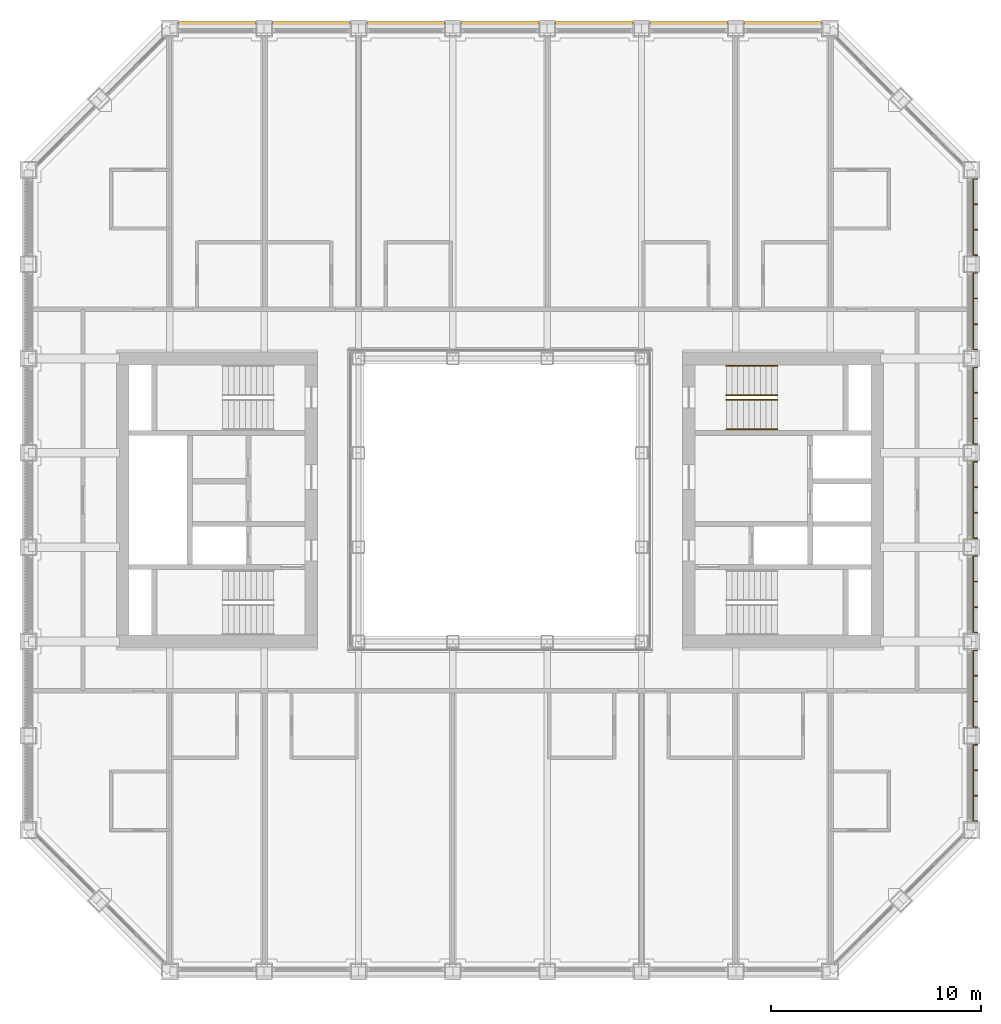
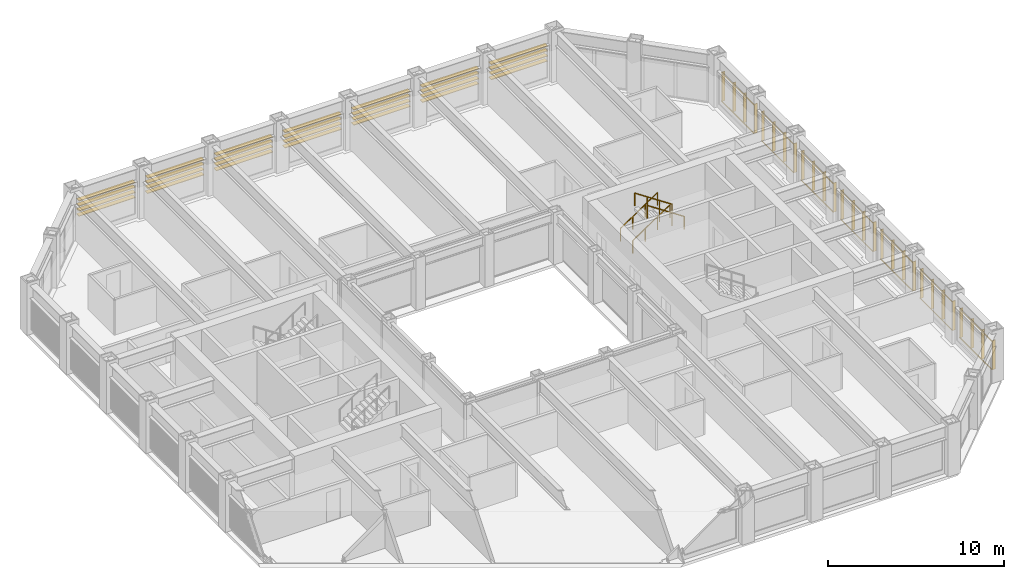
# One storey, part 17 of 17: 4 railings, 2 shading devices.
"""IFC4 building model written with IfcOpenShell, lengths in metres."""

from ifc_helpers import new_model, si_unit, direction, frame, origin, origin_2d, place, context, subcontext, project, spatial, rectangle, circle, extrude, material, type_object, element, save


model = new_model("IFC4")

# Units and contexts
model_context = context("Model", 3, precision=1e-05, world=origin(), true_north=direction((0.0, 1.0)))
body_context = subcontext(model_context, "Body", "Model", "MODEL_VIEW")
ifc_project = project(units=[si_unit("LENGTHUNIT", "METRE"), si_unit("AREAUNIT", "SQUARE_METRE"), si_unit("VOLUMEUNIT", "CUBIC_METRE"), si_unit("PLANEANGLEUNIT", "RADIAN"), si_unit("MASSUNIT", "GRAM", prefix="KILO")], contexts=[model_context])

# Site, building, storey
site_placement = place(None, origin())
site = spatial("IfcSite", under=ifc_project, at=site_placement, CompositionType="ELEMENT")
building_placement = place(site_placement, origin())
building = spatial("IfcBuilding", under=site, at=building_placement, Name="Msasa Ring Tower", CompositionType="ELEMENT")
storey_placement = place(building_placement, frame((0.0, 0.0, 132.800048828125)))
storey = spatial("IfcBuildingStorey", under=building, at=storey_placement, Name="L34", CompositionType="ELEMENT", Elevation=132.800048828125)

# Shading device
ifc_material_1 = material(Name="Extruded terracotta on aluminium carriers", Category="masonry")
shading_device_type_1 = type_object("IfcShadingDeviceType", Name="BS2 TERRACOTTA FIN SCREEN 40x200 AT 1350", PredefinedType="USERDEFINED", material=ifc_material_1)
shading_device_1_placement = place(storey_placement, origin())
element("IfcShadingDevice", 1, at=shading_device_1_placement, inside=storey, type_object=shading_device_type_1, Name="Terracotta fin screen E L34", ObjectType="BAGUETTE", PredefinedType="USERDEFINED", context=body_context, shape_type="SweptSolid", body=[
    extrude(rectangle(XDim=0.06005859375, YDim=0.0400390625, at=origin_2d()), frame((22.580078125, -15.35009765625, 0.329833984375), z_axis=(0.0, 1.0, 0.0), x_axis=(0.0, 0.0, 1.0)), (0.0, 0.0, 1.0), 3.699951171875),
    extrude(rectangle(XDim=0.06005859375, YDim=0.0400390625, at=origin_2d()), frame((22.580078125, -15.35009765625, 2.299072265625), z_axis=(0.0, 1.0, 0.0), x_axis=(0.0, 0.0, 1.0)), (0.0, 0.0, 1.0), 3.699951171875),
    extrude(rectangle(XDim=0.0400390625, YDim=0.199951171875, at=origin_2d()), frame((22.695068359375, -15.330078125, 0.300048828125), z_axis=(0.0, 0.0, 1.0), x_axis=(0.0, 1.0, 0.0)), (0.0, 0.0, 1.0), 2.02880859375),
    extrude(rectangle(XDim=0.0400390625, YDim=0.199951171875, at=origin_2d()), frame((22.695068359375, -14.110107421875, 0.300048828125), z_axis=(0.0, 0.0, 1.0), x_axis=(0.0, 1.0, 0.0)), (0.0, 0.0, 1.0), 2.02880859375),
    extrude(rectangle(XDim=0.0400390625, YDim=0.199951171875, at=origin_2d()), frame((22.695068359375, -12.889892578125, 0.300048828125), z_axis=(0.0, 0.0, 1.0), x_axis=(0.0, 1.0, 0.0)), (0.0, 0.0, 1.0), 2.02880859375),
    extrude(rectangle(XDim=0.0400390625, YDim=0.199951171875, at=origin_2d()), frame((22.695068359375, -11.669921875, 0.300048828125), z_axis=(0.0, 0.0, 1.0), x_axis=(0.0, 1.0, 0.0)), (0.0, 0.0, 1.0), 2.02880859375),
    extrude(rectangle(XDim=0.06005859375, YDim=0.0400390625, at=origin_2d()), frame((22.580078125, -10.85009765625, 0.329833984375), z_axis=(0.0, 1.0, 0.0), x_axis=(0.0, 0.0, 1.0)), (0.0, 0.0, 1.0), 3.699951171875),
    extrude(rectangle(XDim=0.06005859375, YDim=0.0400390625, at=origin_2d()), frame((22.580078125, -10.85009765625, 2.299072265625), z_axis=(0.0, 1.0, 0.0), x_axis=(0.0, 0.0, 1.0)), (0.0, 0.0, 1.0), 3.699951171875),
    extrude(rectangle(XDim=0.0400390625, YDim=0.199951171875, at=origin_2d()), frame((22.695068359375, -10.830078125, 0.300048828125), z_axis=(0.0, 0.0, 1.0), x_axis=(0.0, 1.0, 0.0)), (0.0, 0.0, 1.0), 2.02880859375),
    extrude(rectangle(XDim=0.0400390625, YDim=0.199951171875, at=origin_2d()), frame((22.695068359375, -9.610107421875, 0.300048828125), z_axis=(0.0, 0.0, 1.0), x_axis=(0.0, 1.0, 0.0)), (0.0, 0.0, 1.0), 2.02880859375),
    extrude(rectangle(XDim=0.0400390625, YDim=0.199951171875, at=origin_2d()), frame((22.695068359375, -8.389892578125, 0.300048828125), z_axis=(0.0, 0.0, 1.0), x_axis=(0.0, 1.0, 0.0)), (0.0, 0.0, 1.0), 2.02880859375),
    extrude(rectangle(XDim=0.0400390625, YDim=0.199951171875, at=origin_2d()), frame((22.695068359375, -7.169921875, 0.300048828125), z_axis=(0.0, 0.0, 1.0), x_axis=(0.0, 1.0, 0.0)), (0.0, 0.0, 1.0), 2.02880859375),
    extrude(rectangle(XDim=0.06005859375, YDim=0.0400390625, at=origin_2d()), frame((22.580078125, -6.35009765625, 0.329833984375), z_axis=(0.0, 1.0, 0.0), x_axis=(0.0, 0.0, 1.0)), (0.0, 0.0, 1.0), 3.699951171875),
    extrude(rectangle(XDim=0.06005859375, YDim=0.0400390625, at=origin_2d()), frame((22.580078125, -6.35009765625, 2.299072265625), z_axis=(0.0, 1.0, 0.0), x_axis=(0.0, 0.0, 1.0)), (0.0, 0.0, 1.0), 3.699951171875),
    extrude(rectangle(XDim=0.0400390625, YDim=0.199951171875, at=origin_2d()), frame((22.695068359375, -6.330078125, 0.300048828125), z_axis=(0.0, 0.0, 1.0), x_axis=(0.0, 1.0, 0.0)), (0.0, 0.0, 1.0), 2.02880859375),
    extrude(rectangle(XDim=0.0400390625, YDim=0.199951171875, at=origin_2d()), frame((22.695068359375, -5.110107421875, 0.300048828125), z_axis=(0.0, 0.0, 1.0), x_axis=(0.0, 1.0, 0.0)), (0.0, 0.0, 1.0), 2.02880859375),
    extrude(rectangle(XDim=0.0400390625, YDim=0.199951171875, at=origin_2d()), frame((22.695068359375, -3.889892578125, 0.300048828125), z_axis=(0.0, 0.0, 1.0), x_axis=(0.0, 1.0, 0.0)), (0.0, 0.0, 1.0), 2.02880859375),
    extrude(rectangle(XDim=0.0400390625, YDim=0.199951171875, at=origin_2d()), frame((22.695068359375, -2.669921875, 0.300048828125), z_axis=(0.0, 0.0, 1.0), x_axis=(0.0, 1.0, 0.0)), (0.0, 0.0, 1.0), 2.02880859375),
    extrude(rectangle(XDim=0.06005859375, YDim=0.0400390625, at=origin_2d()), frame((22.580078125, -1.85009765625, 0.329833984375), z_axis=(0.0, 1.0, 0.0), x_axis=(0.0, 0.0, 1.0)), (0.0, 0.0, 1.0), 3.699951171875),
    extrude(rectangle(XDim=0.06005859375, YDim=0.0400390625, at=origin_2d()), frame((22.580078125, -1.85009765625, 2.299072265625), z_axis=(0.0, 1.0, 0.0), x_axis=(0.0, 0.0, 1.0)), (0.0, 0.0, 1.0), 3.699951171875),
    extrude(rectangle(XDim=0.0400390625, YDim=0.199951171875, at=origin_2d()), frame((22.695068359375, -1.830078125, 0.300048828125), z_axis=(0.0, 0.0, 1.0), x_axis=(0.0, 1.0, 0.0)), (0.0, 0.0, 1.0), 2.02880859375),
    extrude(rectangle(XDim=0.0400390625, YDim=0.199951171875, at=origin_2d()), frame((22.695068359375, -0.610107421875, 0.300048828125), z_axis=(0.0, 0.0, 1.0), x_axis=(0.0, 1.0, 0.0)), (0.0, 0.0, 1.0), 2.02880859375),
    extrude(rectangle(XDim=0.0400390625, YDim=0.199951171875, at=origin_2d()), frame((22.695068359375, 0.610107421875, 0.300048828125), z_axis=(0.0, 0.0, 1.0), x_axis=(0.0, 1.0, 0.0)), (0.0, 0.0, 1.0), 2.02880859375),
    extrude(rectangle(XDim=0.0400390625, YDim=0.199951171875, at=origin_2d()), frame((22.695068359375, 1.830078125, 0.300048828125), z_axis=(0.0, 0.0, 1.0), x_axis=(0.0, 1.0, 0.0)), (0.0, 0.0, 1.0), 2.02880859375),
    extrude(rectangle(XDim=0.06005859375, YDim=0.0400390625, at=origin_2d()), frame((22.580078125, 2.64990234375, 0.329833984375), z_axis=(0.0, 1.0, 0.0), x_axis=(0.0, 0.0, 1.0)), (0.0, 0.0, 1.0), 3.699951171875),
    extrude(rectangle(XDim=0.06005859375, YDim=0.0400390625, at=origin_2d()), frame((22.580078125, 2.64990234375, 2.299072265625), z_axis=(0.0, 1.0, 0.0), x_axis=(0.0, 0.0, 1.0)), (0.0, 0.0, 1.0), 3.699951171875),
    extrude(rectangle(XDim=0.0400390625, YDim=0.199951171875, at=origin_2d()), frame((22.695068359375, 2.669921875, 0.300048828125), z_axis=(0.0, 0.0, 1.0), x_axis=(0.0, 1.0, 0.0)), (0.0, 0.0, 1.0), 2.02880859375),
    extrude(rectangle(XDim=0.0400390625, YDim=0.199951171875, at=origin_2d()), frame((22.695068359375, 3.889892578125, 0.300048828125), z_axis=(0.0, 0.0, 1.0), x_axis=(0.0, 1.0, 0.0)), (0.0, 0.0, 1.0), 2.02880859375),
    extrude(rectangle(XDim=0.0400390625, YDim=0.199951171875, at=origin_2d()), frame((22.695068359375, 5.110107421875, 0.300048828125), z_axis=(0.0, 0.0, 1.0), x_axis=(0.0, 1.0, 0.0)), (0.0, 0.0, 1.0), 2.02880859375),
    extrude(rectangle(XDim=0.0400390625, YDim=0.199951171875, at=origin_2d()), frame((22.695068359375, 6.330078125, 0.300048828125), z_axis=(0.0, 0.0, 1.0), x_axis=(0.0, 1.0, 0.0)), (0.0, 0.0, 1.0), 2.02880859375),
    extrude(rectangle(XDim=0.06005859375, YDim=0.0400390625, at=origin_2d()), frame((22.580078125, 7.14990234375, 0.329833984375), z_axis=(0.0, 1.0, 0.0), x_axis=(0.0, 0.0, 1.0)), (0.0, 0.0, 1.0), 3.699951171875),
    extrude(rectangle(XDim=0.06005859375, YDim=0.0400390625, at=origin_2d()), frame((22.580078125, 7.14990234375, 2.299072265625), z_axis=(0.0, 1.0, 0.0), x_axis=(0.0, 0.0, 1.0)), (0.0, 0.0, 1.0), 3.699951171875),
    extrude(rectangle(XDim=0.0400390625, YDim=0.199951171875, at=origin_2d()), frame((22.695068359375, 7.169921875, 0.300048828125), z_axis=(0.0, 0.0, 1.0), x_axis=(0.0, 1.0, 0.0)), (0.0, 0.0, 1.0), 2.02880859375),
    extrude(rectangle(XDim=0.0400390625, YDim=0.199951171875, at=origin_2d()), frame((22.695068359375, 8.389892578125, 0.300048828125), z_axis=(0.0, 0.0, 1.0), x_axis=(0.0, 1.0, 0.0)), (0.0, 0.0, 1.0), 2.02880859375),
    extrude(rectangle(XDim=0.0400390625, YDim=0.199951171875, at=origin_2d()), frame((22.695068359375, 9.610107421875, 0.300048828125), z_axis=(0.0, 0.0, 1.0), x_axis=(0.0, 1.0, 0.0)), (0.0, 0.0, 1.0), 2.02880859375),
    extrude(rectangle(XDim=0.0400390625, YDim=0.199951171875, at=origin_2d()), frame((22.695068359375, 10.830078125, 0.300048828125), z_axis=(0.0, 0.0, 1.0), x_axis=(0.0, 1.0, 0.0)), (0.0, 0.0, 1.0), 2.02880859375),
    extrude(rectangle(XDim=0.06005859375, YDim=0.0400390625, at=origin_2d()), frame((22.580078125, 11.64990234375, 0.329833984375), z_axis=(0.0, 1.0, 0.0), x_axis=(0.0, 0.0, 1.0)), (0.0, 0.0, 1.0), 3.699951171875),
    extrude(rectangle(XDim=0.06005859375, YDim=0.0400390625, at=origin_2d()), frame((22.580078125, 11.64990234375, 2.299072265625), z_axis=(0.0, 1.0, 0.0), x_axis=(0.0, 0.0, 1.0)), (0.0, 0.0, 1.0), 3.699951171875),
    extrude(rectangle(XDim=0.0400390625, YDim=0.199951171875, at=origin_2d()), frame((22.695068359375, 11.669921875, 0.300048828125), z_axis=(0.0, 0.0, 1.0), x_axis=(0.0, 1.0, 0.0)), (0.0, 0.0, 1.0), 2.02880859375),
    extrude(rectangle(XDim=0.0400390625, YDim=0.199951171875, at=origin_2d()), frame((22.695068359375, 12.889892578125, 0.300048828125), z_axis=(0.0, 0.0, 1.0), x_axis=(0.0, 1.0, 0.0)), (0.0, 0.0, 1.0), 2.02880859375),
    extrude(rectangle(XDim=0.0400390625, YDim=0.199951171875, at=origin_2d()), frame((22.695068359375, 14.110107421875, 0.300048828125), z_axis=(0.0, 0.0, 1.0), x_axis=(0.0, 1.0, 0.0)), (0.0, 0.0, 1.0), 2.02880859375),
    extrude(rectangle(XDim=0.0400390625, YDim=0.199951171875, at=origin_2d()), frame((22.695068359375, 15.330078125, 0.300048828125), z_axis=(0.0, 0.0, 1.0), x_axis=(0.0, 1.0, 0.0)), (0.0, 0.0, 1.0), 2.02880859375),
])

# Railings
ifc_material_2 = material(Name="Stainless steel", Category="steel")
railing_type = type_object("IfcRailingType", Name="HR1 HANDRAIL 900", PredefinedType="HANDRAIL", material=ifc_material_2)
for number, where, name in (
    (2, (10.800048828125, 5.0, 0.179931640625), "Handrail stair SEB L34 1"),
    (3, (10.800048828125, 6.39990234375, 0.179931640625), "Handrail stair SEB L34 2"),
):
    element("IfcRailing", number, at=place(storey_placement, frame(where)), inside=storey, type_object=railing_type, Name=name, PredefinedType="HANDRAIL", context=body_context, shape_type="SweptSolid", body=[
        extrude(circle(Radius=0.02392578125, at=origin_2d()), frame((0.0, 0.0, 0.8759765625), z_axis=(0.832024571796, 0.0, 0.554738778101), x_axis=(0.0, 1.0, 0.0)), (0.0, 0.0, 1.0), 2.92041015625),
        extrude(circle(Radius=0.02099609375, at=origin_2d()), origin(), (0.0, 0.0, 1.0), 0.851806640625),
        extrude(circle(Radius=0.02099609375, at=origin_2d()), frame((0.81005859375, 0.0, 0.5400390625)), (0.0, 0.0, 1.0), 0.851806640625),
        extrude(circle(Radius=0.02099609375, at=origin_2d()), frame((1.619873046875, 0.0, 1.080078125)), (0.0, 0.0, 1.0), 0.851806640625),
        extrude(circle(Radius=0.02099609375, at=origin_2d()), frame((2.429931640625, 0.0, 1.6201171875)), (0.0, 0.0, 1.0), 0.851806640625),
    ])
for number, where, name in (
    (4, (13.22998046875, 3.375, 1.97998046875), "Handrail stair SEB L34 3"),
    (5, (13.22998046875, 4.77490234375, 1.97998046875), "Handrail stair SEB L34 4"),
):
    element("IfcRailing", number, at=place(storey_placement, frame(where)), inside=storey, type_object=railing_type, Name=name, PredefinedType="HANDRAIL", context=body_context, shape_type="SweptSolid", body=[
        extrude(circle(Radius=0.02392578125, at=origin_2d()), frame((0.0, 0.0, 0.8759765625), z_axis=(-0.832063155534, 0.0, 0.554680903946), x_axis=(0.0, -1.0, 0.0)), (0.0, 0.0, 1.0), 2.92041015625),
        extrude(circle(Radius=0.02099609375, at=origin_2d()), origin(), (0.0, 0.0, 1.0), 0.851806640625),
        extrude(circle(Radius=0.02099609375, at=origin_2d()), frame((-0.81005859375, 0.0, 0.5400390625)), (0.0, 0.0, 1.0), 0.851806640625),
        extrude(circle(Radius=0.02099609375, at=origin_2d()), frame((-1.619873046875, 0.0, 1.079833984375)), (0.0, 0.0, 1.0), 0.851806640625),
        extrude(circle(Radius=0.02099609375, at=origin_2d()), frame((-2.429931640625, 0.0, 1.619873046875)), (0.0, 0.0, 1.0), 0.851806640625),
    ])

# Shading device
ifc_material_3 = material(Name="Extruded terracotta blades", Category="masonry")
shading_device_type_2 = type_object("IfcShadingDeviceType", Name="SS1 TERRACOTTA SUNSHADE 4 BLADES 300x40 AT 350", PredefinedType="USERDEFINED", material=ifc_material_3)
shading_device_2_placement = place(storey_placement, origin())
element("IfcShadingDevice", 6, at=shading_device_2_placement, inside=storey, type_object=shading_device_type_2, Name="Terracotta sunshade N L34", ObjectType="SUNSHADE", PredefinedType="USERDEFINED", context=body_context, shape_type="SweptSolid", body=[
    extrude(rectangle(XDim=0.0400390625, YDim=0.300048828125, at=origin_2d()), frame((-15.35009765625, 22.679931640625, 2.308837890625), z_axis=(1.0, 0.0, 0.0), x_axis=(0.0, 0.0, 1.0)), (0.0, 0.0, 1.0), 3.699951171875),
    extrude(rectangle(XDim=0.0400390625, YDim=0.300048828125, at=origin_2d()), frame((-15.35009765625, 22.679931640625, 1.958984375), z_axis=(1.0, 0.0, 0.0), x_axis=(0.0, 0.0, 1.0)), (0.0, 0.0, 1.0), 3.699951171875),
    extrude(rectangle(XDim=0.0400390625, YDim=0.300048828125, at=origin_2d()), frame((-15.35009765625, 22.679931640625, 1.60888671875), z_axis=(1.0, 0.0, 0.0), x_axis=(0.0, 0.0, 1.0)), (0.0, 0.0, 1.0), 3.699951171875),
    extrude(rectangle(XDim=0.0400390625, YDim=0.300048828125, at=origin_2d()), frame((-15.35009765625, 22.679931640625, 1.259033203125), z_axis=(1.0, 0.0, 0.0), x_axis=(0.0, 0.0, 1.0)), (0.0, 0.0, 1.0), 3.699951171875),
    extrude(rectangle(XDim=0.0400390625, YDim=0.300048828125, at=origin_2d()), frame((-10.85009765625, 22.679931640625, 2.308837890625), z_axis=(1.0, 0.0, 0.0), x_axis=(0.0, 0.0, 1.0)), (0.0, 0.0, 1.0), 3.699951171875),
    extrude(rectangle(XDim=0.0400390625, YDim=0.300048828125, at=origin_2d()), frame((-10.85009765625, 22.679931640625, 1.958984375), z_axis=(1.0, 0.0, 0.0), x_axis=(0.0, 0.0, 1.0)), (0.0, 0.0, 1.0), 3.699951171875),
    extrude(rectangle(XDim=0.0400390625, YDim=0.300048828125, at=origin_2d()), frame((-10.85009765625, 22.679931640625, 1.60888671875), z_axis=(1.0, 0.0, 0.0), x_axis=(0.0, 0.0, 1.0)), (0.0, 0.0, 1.0), 3.699951171875),
    extrude(rectangle(XDim=0.0400390625, YDim=0.300048828125, at=origin_2d()), frame((-10.85009765625, 22.679931640625, 1.259033203125), z_axis=(1.0, 0.0, 0.0), x_axis=(0.0, 0.0, 1.0)), (0.0, 0.0, 1.0), 3.699951171875),
    extrude(rectangle(XDim=0.0400390625, YDim=0.300048828125, at=origin_2d()), frame((-6.35009765625, 22.679931640625, 2.308837890625), z_axis=(1.0, 0.0, 0.0), x_axis=(0.0, 0.0, 1.0)), (0.0, 0.0, 1.0), 3.699951171875),
    extrude(rectangle(XDim=0.0400390625, YDim=0.300048828125, at=origin_2d()), frame((-6.35009765625, 22.679931640625, 1.958984375), z_axis=(1.0, 0.0, 0.0), x_axis=(0.0, 0.0, 1.0)), (0.0, 0.0, 1.0), 3.699951171875),
    extrude(rectangle(XDim=0.0400390625, YDim=0.300048828125, at=origin_2d()), frame((-6.35009765625, 22.679931640625, 1.60888671875), z_axis=(1.0, 0.0, 0.0), x_axis=(0.0, 0.0, 1.0)), (0.0, 0.0, 1.0), 3.699951171875),
    extrude(rectangle(XDim=0.0400390625, YDim=0.300048828125, at=origin_2d()), frame((-6.35009765625, 22.679931640625, 1.259033203125), z_axis=(1.0, 0.0, 0.0), x_axis=(0.0, 0.0, 1.0)), (0.0, 0.0, 1.0), 3.699951171875),
    extrude(rectangle(XDim=0.0400390625, YDim=0.300048828125, at=origin_2d()), frame((-1.85009765625, 22.679931640625, 2.308837890625), z_axis=(1.0, 0.0, 0.0), x_axis=(0.0, 0.0, 1.0)), (0.0, 0.0, 1.0), 3.699951171875),
    extrude(rectangle(XDim=0.0400390625, YDim=0.300048828125, at=origin_2d()), frame((-1.85009765625, 22.679931640625, 1.958984375), z_axis=(1.0, 0.0, 0.0), x_axis=(0.0, 0.0, 1.0)), (0.0, 0.0, 1.0), 3.699951171875),
    extrude(rectangle(XDim=0.0400390625, YDim=0.300048828125, at=origin_2d()), frame((-1.85009765625, 22.679931640625, 1.60888671875), z_axis=(1.0, 0.0, 0.0), x_axis=(0.0, 0.0, 1.0)), (0.0, 0.0, 1.0), 3.699951171875),
    extrude(rectangle(XDim=0.0400390625, YDim=0.300048828125, at=origin_2d()), frame((-1.85009765625, 22.679931640625, 1.259033203125), z_axis=(1.0, 0.0, 0.0), x_axis=(0.0, 0.0, 1.0)), (0.0, 0.0, 1.0), 3.699951171875),
    extrude(rectangle(XDim=0.0400390625, YDim=0.300048828125, at=origin_2d()), frame((2.64990234375, 22.679931640625, 2.308837890625), z_axis=(1.0, 0.0, 0.0), x_axis=(0.0, 0.0, 1.0)), (0.0, 0.0, 1.0), 3.699951171875),
    extrude(rectangle(XDim=0.0400390625, YDim=0.300048828125, at=origin_2d()), frame((2.64990234375, 22.679931640625, 1.958984375), z_axis=(1.0, 0.0, 0.0), x_axis=(0.0, 0.0, 1.0)), (0.0, 0.0, 1.0), 3.699951171875),
    extrude(rectangle(XDim=0.0400390625, YDim=0.300048828125, at=origin_2d()), frame((2.64990234375, 22.679931640625, 1.60888671875), z_axis=(1.0, 0.0, 0.0), x_axis=(0.0, 0.0, 1.0)), (0.0, 0.0, 1.0), 3.699951171875),
    extrude(rectangle(XDim=0.0400390625, YDim=0.300048828125, at=origin_2d()), frame((2.64990234375, 22.679931640625, 1.259033203125), z_axis=(1.0, 0.0, 0.0), x_axis=(0.0, 0.0, 1.0)), (0.0, 0.0, 1.0), 3.699951171875),
    extrude(rectangle(XDim=0.0400390625, YDim=0.300048828125, at=origin_2d()), frame((7.14990234375, 22.679931640625, 2.308837890625), z_axis=(1.0, 0.0, 0.0), x_axis=(0.0, 0.0, 1.0)), (0.0, 0.0, 1.0), 3.699951171875),
    extrude(rectangle(XDim=0.0400390625, YDim=0.300048828125, at=origin_2d()), frame((7.14990234375, 22.679931640625, 1.958984375), z_axis=(1.0, 0.0, 0.0), x_axis=(0.0, 0.0, 1.0)), (0.0, 0.0, 1.0), 3.699951171875),
    extrude(rectangle(XDim=0.0400390625, YDim=0.300048828125, at=origin_2d()), frame((7.14990234375, 22.679931640625, 1.60888671875), z_axis=(1.0, 0.0, 0.0), x_axis=(0.0, 0.0, 1.0)), (0.0, 0.0, 1.0), 3.699951171875),
    extrude(rectangle(XDim=0.0400390625, YDim=0.300048828125, at=origin_2d()), frame((7.14990234375, 22.679931640625, 1.259033203125), z_axis=(1.0, 0.0, 0.0), x_axis=(0.0, 0.0, 1.0)), (0.0, 0.0, 1.0), 3.699951171875),
    extrude(rectangle(XDim=0.0400390625, YDim=0.300048828125, at=origin_2d()), frame((11.64990234375, 22.679931640625, 2.308837890625), z_axis=(1.0, 0.0, 0.0), x_axis=(0.0, 0.0, 1.0)), (0.0, 0.0, 1.0), 3.699951171875),
    extrude(rectangle(XDim=0.0400390625, YDim=0.300048828125, at=origin_2d()), frame((11.64990234375, 22.679931640625, 1.958984375), z_axis=(1.0, 0.0, 0.0), x_axis=(0.0, 0.0, 1.0)), (0.0, 0.0, 1.0), 3.699951171875),
    extrude(rectangle(XDim=0.0400390625, YDim=0.300048828125, at=origin_2d()), frame((11.64990234375, 22.679931640625, 1.60888671875), z_axis=(1.0, 0.0, 0.0), x_axis=(0.0, 0.0, 1.0)), (0.0, 0.0, 1.0), 3.699951171875),
    extrude(rectangle(XDim=0.0400390625, YDim=0.300048828125, at=origin_2d()), frame((11.64990234375, 22.679931640625, 1.259033203125), z_axis=(1.0, 0.0, 0.0), x_axis=(0.0, 0.0, 1.0)), (0.0, 0.0, 1.0), 3.699951171875),
])

save(model, "model.ifc")
